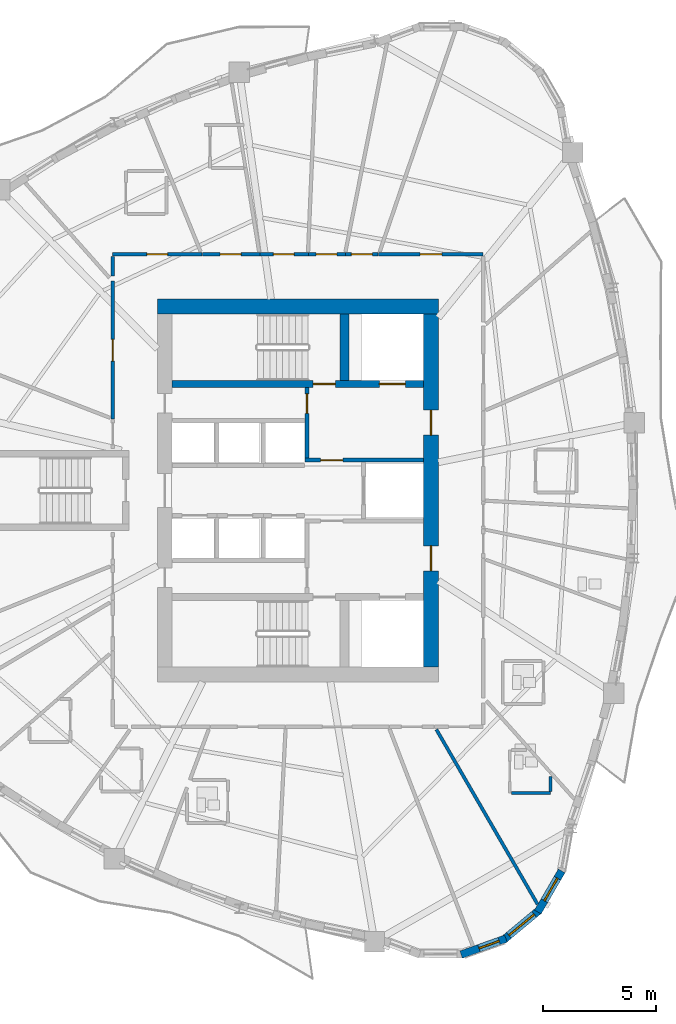
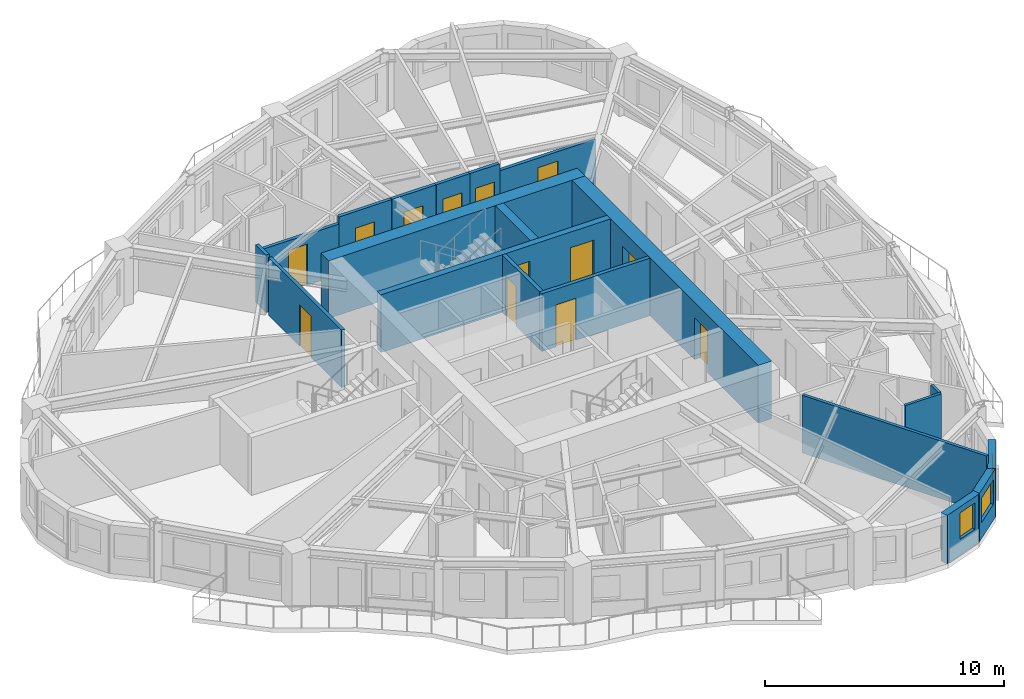
# One storey, part 6 of 13: 20 walls, 13 doors, 3 windows, 16 openings.
"""IFC4 building model written with IfcOpenShell, lengths in metres."""

from ifc_helpers import new_model, si_unit, direction, frame, frame_2d, origin, place, context, subcontext, project, spatial, rectangle, extrude, source, transform, mapped, material, layer, layer_set, type_object, element, fill, save


model = new_model("IFC4")

# Units and contexts
model_context = context("Model", 3, precision=1e-05, world=origin(), true_north=direction((0.0, 1.0)))
body_context = subcontext(model_context, "Body", "Model", "MODEL_VIEW")
ifc_project = project(units=[si_unit("LENGTHUNIT", "METRE"), si_unit("AREAUNIT", "SQUARE_METRE"), si_unit("VOLUMEUNIT", "CUBIC_METRE"), si_unit("PLANEANGLEUNIT", "RADIAN"), si_unit("MASSUNIT", "GRAM", prefix="KILO")], contexts=[model_context])

# Site, building, storey
site_placement = place(None, origin())
site = spatial("IfcSite", under=ifc_project, at=site_placement, CompositionType="ELEMENT")
building_placement = place(site_placement, origin())
building = spatial("IfcBuilding", under=site, at=building_placement, Name="Qafzar Sky-Pleat Residences", CompositionType="ELEMENT")
storey_placement = place(building_placement, frame((0.0, 0.0, 102.39990234375)))
storey = spatial("IfcBuildingStorey", under=building, at=storey_placement, Name="L30", CompositionType="ELEMENT", Elevation=102.39990234375)

# Wall, opening, door
ifc_material_1 = material(Name="Acoustic gypsum plasterboard partition", Category="gypsum")
ifc_layer_1 = layer(ifc_material_1, 0.159912109375)
ifc_layer_set_1 = layer_set([ifc_layer_1], Name="Acoustic gypsum plasterboard partition")
wall_type_1 = type_object("IfcWallType", Name="PART-COR-160", PredefinedType="PARTITIONING", material=ifc_layer_set_1)
wall_1_placement = place(storey_placement, frame((22.169921875, 29.14794921875, 0.0), z_axis=(0.0, 0.0, 1.0), x_axis=(0.0, 1.0, 0.0)))
wall_1 = element("IfcWall", 1, at=wall_1_placement, inside=storey, type_object=wall_type_1, Name="L30 Partition Wall PART-L30-PW-002", PredefinedType="PARTITIONING", context=body_context, shape_type="SweptSolid", body=[
    extrude(rectangle(XDim=6.10595703125, YDim=0.159912109375, at=frame_2d((3.052978515625, 0.0))), origin(), (0.0, 0.0, 1.0), 2.9501953125),
])
opening_1_placement = place(wall_1_placement, frame((2.569580078125, 0.0, 0.0)))
opening_1 = element("IfcOpeningElement", 2, at=opening_1_placement, cuts=wall_1, Name="Opening ID-06", PredefinedType="OPENING", context=body_context, shape_type="SweptSolid", body=[
    extrude(rectangle(XDim=0.9599609375, YDim=2.10009765625, at=frame_2d((0.47998046875, 1.050048828125))), frame((0.0, 0.08984375, 0.0), z_axis=(0.0, -1.0, 0.0), x_axis=(1.0, 0.0, 0.0)), (0.0, 0.0, 1.0), 0.179931640625),
])
ifc_material_2 = material(Name="Timber-faced fire door", Category="wood")
door_type_1 = type_object("IfcDoorType", Name="DR-STD-960", OperationType="NOTDEFINED", PredefinedType="DOOR", material=ifc_material_2)
shared_shape_1 = source(origin(), body_context, "Body", "SweptSolid", [
    extrude(rectangle(XDim=0.9599609375, YDim=2.10009765625, at=frame_2d((0.47998046875, 1.050048828125))), frame((0.0, 0.02490234375, 0.0), z_axis=(0.0, -1.0, 0.0), x_axis=(1.0, 0.0, 0.0)), (0.0, 0.0, 1.0), 0.050048828125),
])
door_1_placement = place(opening_1_placement, origin())
door_1 = element("IfcDoor", 3, at=door_1_placement, inside=storey, type_object=door_type_1, Name="L30 Media Screening Room Door", OperationType="SINGLE_SWING_RIGHT", OverallHeight=2.10009765625, OverallWidth=0.9599609375, PredefinedType="DOOR", context=body_context, shape_type="MappedRepresentation", body=[
    mapped(shared_shape_1, transform((0.0, 0.0, 0.0), x_axis=(1.0, 0.0, 0.0), y_axis=(0.0, 1.0, 0.0), z_axis=(0.0, 0.0, 1.0), scale=1.0)),
])
fill(opening_1, door_1)

wall_2_placement = place(storey_placement, frame((33.906005859375, 36.429931640625, 0.0), z_axis=(0.0, 0.0, 1.0), x_axis=(1.0, 0.0, 0.0)))
wall_2 = element("IfcWall", 4, at=wall_2_placement, inside=storey, type_object=wall_type_1, Name="L30 Partition Wall PART-L30-PW-003", PredefinedType="PARTITIONING", context=body_context, shape_type="SweptSolid", body=[
    extrude(rectangle(XDim=4.6240234375, YDim=0.159912109375, at=frame_2d((2.31201171875, 0.0))), origin(), (0.0, 0.0, 1.0), 2.588134765625),
])
opening_2_placement = place(wall_2_placement, frame((1.840087890625, 0.0, 0.0)))
opening_2 = element("IfcOpeningElement", 5, at=opening_2_placement, cuts=wall_2, Name="Opening ID-06", PredefinedType="OPENING", context=body_context, shape_type="SweptSolid", body=[
    extrude(rectangle(XDim=0.9599609375, YDim=2.10009765625, at=frame_2d((0.47998046875, 1.050048828125))), frame((0.0, 0.08984375, 0.0), z_axis=(0.0, -1.0, 0.0), x_axis=(1.0, 0.0, 0.0)), (0.0, 0.0, 1.0), 0.179931640625),
])
door_2_placement = place(opening_2_placement, origin())
door_2 = element("IfcDoor", 6, at=door_2_placement, inside=storey, type_object=door_type_1, Name="L30 Wellness Yoga Studio Door", OperationType="SINGLE_SWING_LEFT", OverallHeight=2.10009765625, OverallWidth=0.9599609375, PredefinedType="DOOR", context=body_context, shape_type="MappedRepresentation", body=[
    mapped(shared_shape_1, transform((0.0, 0.0, 0.0), x_axis=(1.0, 0.0, 0.0), y_axis=(0.0, 1.0, 0.0), z_axis=(0.0, 0.0, 1.0), scale=1.0)),
])
fill(opening_2, door_2)

wall_3_placement = place(storey_placement, frame((22.169921875, 36.429931640625, 0.0), z_axis=(0.0, 0.0, 1.0), x_axis=(1.0, 0.0, 0.0)))
wall_3 = element("IfcWall", 7, at=wall_3_placement, inside=storey, type_object=wall_type_1, Name="L30 Partition Wall PART-L30-PW-006", PredefinedType="PARTITIONING", context=body_context, shape_type="SweptSolid", body=[
    extrude(rectangle(XDim=3.947998046875, YDim=0.159912109375, at=frame_2d((1.97412109375, 0.0))), origin(), (0.0, 0.0, 1.0), 2.588134765625),
])
opening_3_placement = place(wall_3_placement, frame((1.506103515625, 0.0, 0.0)))
opening_3 = element("IfcOpeningElement", 8, at=opening_3_placement, cuts=wall_3, Name="Opening ID-04", PredefinedType="OPENING", context=body_context, shape_type="SweptSolid", body=[
    extrude(rectangle(XDim=0.919921875, YDim=2.10009765625, at=frame_2d((0.4599609375, 1.050048828125))), frame((0.0, 0.08984375, 0.0), z_axis=(0.0, -1.0, 0.0), x_axis=(1.0, 0.0, 0.0)), (0.0, 0.0, 1.0), 0.179931640625),
])
door_type_2 = type_object("IfcDoorType", Name="DR-BED-920", OperationType="NOTDEFINED", PredefinedType="DOOR", material=ifc_material_2)
shared_shape_2 = source(origin(), body_context, "Body", "SweptSolid", [
    extrude(rectangle(XDim=0.919921875, YDim=2.10009765625, at=frame_2d((0.4599609375, 1.050048828125))), frame((0.0, 0.02490234375, 0.0), z_axis=(0.0, -1.0, 0.0), x_axis=(1.0, 0.0, 0.0)), (0.0, 0.0, 1.0), 0.050048828125),
])
door_3_placement = place(opening_3_placement, origin())
door_3 = element("IfcDoor", 9, at=door_3_placement, inside=storey, type_object=door_type_2, Name="L30 Co-Living Bedroom 10 Door", OperationType="SINGLE_SWING_LEFT", OverallHeight=2.10009765625, OverallWidth=0.919921875, PredefinedType="DOOR", context=body_context, shape_type="MappedRepresentation", body=[
    mapped(shared_shape_2, transform((0.0, 0.0, 0.0), x_axis=(1.0, 0.0, 0.0), y_axis=(0.0, 1.0, 0.0), z_axis=(0.0, 0.0, 1.0), scale=1.0)),
])
fill(opening_3, door_3)

wall_4_placement = place(storey_placement, frame((26.133056640625, 36.429931640625, 0.0), z_axis=(0.0, 0.0, 1.0), x_axis=(1.0, 0.0, 0.0)))
wall_4 = element("IfcWall", 10, at=wall_4_placement, inside=storey, type_object=wall_type_1, Name="L30 Partition Wall PART-L30-PW-011", PredefinedType="PARTITIONING", context=body_context, shape_type="SweptSolid", body=[
    extrude(rectangle(XDim=2.537841796875, YDim=0.159912109375, at=frame_2d((1.26904296875, 0.0))), origin(), (0.0, 0.0, 1.0), 2.9501953125),
])
opening_4_placement = place(wall_4_placement, frame((0.785888671875, 0.0, 0.0)))
opening_4 = element("IfcOpeningElement", 11, at=opening_4_placement, cuts=wall_4, Name="Opening ID-04", PredefinedType="OPENING", context=body_context, shape_type="SweptSolid", body=[
    extrude(rectangle(XDim=0.919921875, YDim=2.10009765625, at=frame_2d((0.4599609375, 1.050048828125))), frame((0.0, 0.08984375, 0.0), z_axis=(0.0, -1.0, 0.0), x_axis=(1.0, 0.0, 0.0)), (0.0, 0.0, 1.0), 0.179931640625),
])
door_4_placement = place(opening_4_placement, origin())
door_4 = element("IfcDoor", 12, at=door_4_placement, inside=storey, type_object=door_type_2, Name="L30 Co-Living Bedroom 8 Door", OperationType="SINGLE_SWING_LEFT", OverallHeight=2.10009765625, OverallWidth=0.919921875, PredefinedType="DOOR", context=body_context, shape_type="MappedRepresentation", body=[
    mapped(shared_shape_2, transform((0.0, 0.0, 0.0), x_axis=(1.0, 0.0, 0.0), y_axis=(0.0, 1.0, 0.0), z_axis=(0.0, 0.0, 1.0), scale=1.0)),
])
fill(opening_4, door_4)

wall_5_placement = place(storey_placement, frame((28.68603515625, 36.429931640625, 0.0), z_axis=(0.0, 0.0, 1.0), x_axis=(1.0, 0.0, 0.0)))
wall_5 = element("IfcWall", 13, at=wall_5_placement, inside=storey, type_object=wall_type_1, Name="L30 Partition Wall PART-L30-PW-014", PredefinedType="PARTITIONING", context=body_context, shape_type="SweptSolid", body=[
    extrude(rectangle(XDim=2.123046875, YDim=0.159912109375, at=frame_2d((1.0615234375, 0.0))), origin(), (0.0, 0.0, 1.0), 2.9501953125),
])
opening_5_placement = place(wall_5_placement, frame((0.5791015625, 0.0, 0.0)))
opening_5 = element("IfcOpeningElement", 14, at=opening_5_placement, cuts=wall_5, Name="Opening ID-04", PredefinedType="OPENING", context=body_context, shape_type="SweptSolid", body=[
    extrude(rectangle(XDim=0.919921875, YDim=2.10009765625, at=frame_2d((0.4599609375, 1.050048828125))), frame((0.0, 0.08984375, 0.0), z_axis=(0.0, -1.0, 0.0), x_axis=(1.0, 0.0, 0.0)), (0.0, 0.0, 1.0), 0.179931640625),
])
door_5_placement = place(opening_5_placement, origin())
door_5 = element("IfcDoor", 15, at=door_5_placement, inside=storey, type_object=door_type_2, Name="L30 Co-Living Bedroom 9 Door", OperationType="SINGLE_SWING_RIGHT", OverallHeight=2.10009765625, OverallWidth=0.919921875, PredefinedType="DOOR", context=body_context, shape_type="MappedRepresentation", body=[
    mapped(shared_shape_2, transform((0.0, 0.0, 0.0), x_axis=(1.0, 0.0, 0.0), y_axis=(0.0, 1.0, 0.0), z_axis=(0.0, 0.0, 1.0), scale=1.0)),
])
fill(opening_5, door_5)

wall_6_placement = place(storey_placement, frame((30.823974609375, 36.429931640625, 0.0), z_axis=(0.0, 0.0, 1.0), x_axis=(1.0, 0.0, 0.0)))
wall_6 = element("IfcWall", 16, at=wall_6_placement, inside=storey, type_object=wall_type_1, Name="L30 Partition Wall PART-L30-PW-024", PredefinedType="PARTITIONING", context=body_context, shape_type="SweptSolid", body=[
    extrude(rectangle(XDim=1.619140625, YDim=0.159912109375, at=frame_2d((0.8095703125, 0.0))), origin(), (0.0, 0.0, 1.0), 2.9501953125),
])
opening_6_placement = place(wall_6_placement, frame((0.326904296875, 0.0, 0.0)))
opening_6 = element("IfcOpeningElement", 17, at=opening_6_placement, cuts=wall_6, Name="Opening ID-04", PredefinedType="OPENING", context=body_context, shape_type="SweptSolid", body=[
    extrude(rectangle(XDim=0.919921875, YDim=2.10009765625, at=frame_2d((0.4599609375, 1.050048828125))), frame((0.0, 0.08984375, 0.0), z_axis=(0.0, -1.0, 0.0), x_axis=(1.0, 0.0, 0.0)), (0.0, 0.0, 1.0), 0.179931640625),
])
door_6_placement = place(opening_6_placement, origin())
door_6 = element("IfcDoor", 18, at=door_6_placement, inside=storey, type_object=door_type_2, Name="L30 Co-Living Bedroom 6 Door", OperationType="SINGLE_SWING_RIGHT", OverallHeight=2.10009765625, OverallWidth=0.919921875, PredefinedType="DOOR", context=body_context, shape_type="MappedRepresentation", body=[
    mapped(shared_shape_2, transform((0.0, 0.0, 0.0), x_axis=(1.0, 0.0, 0.0), y_axis=(0.0, 1.0, 0.0), z_axis=(0.0, 0.0, 1.0), scale=1.0)),
])
fill(opening_6, door_6)

wall_7_placement = place(storey_placement, frame((32.4580078125, 36.429931640625, 0.0), z_axis=(0.0, 0.0, 1.0), x_axis=(1.0, 0.0, 0.0)))
wall_7 = element("IfcWall", 19, at=wall_7_placement, inside=storey, type_object=wall_type_1, Name="L30 Partition Wall PART-L30-PW-027", PredefinedType="PARTITIONING", context=body_context, shape_type="SweptSolid", body=[
    extrude(rectangle(XDim=1.43310546875, YDim=0.159912109375, at=frame_2d((0.716552734375, 0.0))), origin(), (0.0, 0.0, 1.0), 2.9501953125),
])
opening_7_placement = place(wall_7_placement, frame((0.257080078125, 0.0, 0.0)))
opening_7 = element("IfcOpeningElement", 20, at=opening_7_placement, cuts=wall_7, Name="Opening ID-04", PredefinedType="OPENING", context=body_context, shape_type="SweptSolid", body=[
    extrude(rectangle(XDim=0.919921875, YDim=2.10009765625, at=frame_2d((0.4599609375, 1.050048828125))), frame((0.0, 0.08984375, 0.0), z_axis=(0.0, -1.0, 0.0), x_axis=(1.0, 0.0, 0.0)), (0.0, 0.0, 1.0), 0.179931640625),
])
door_7_placement = place(opening_7_placement, origin())
door_7 = element("IfcDoor", 21, at=door_7_placement, inside=storey, type_object=door_type_2, Name="L30 Co-Living Bedroom 7 Door", OperationType="SINGLE_SWING_LEFT", OverallHeight=2.10009765625, OverallWidth=0.919921875, PredefinedType="DOOR", context=body_context, shape_type="MappedRepresentation", body=[
    mapped(shared_shape_2, transform((0.0, 0.0, 0.0), x_axis=(1.0, 0.0, 0.0), y_axis=(0.0, 1.0, 0.0), z_axis=(0.0, 0.0, 1.0), scale=1.0)),
])
fill(opening_7, door_7)

# Wall
wall_8_placement = place(storey_placement, frame((22.169921875, 35.4765625, 0.0), z_axis=(0.0, 0.0, 1.0), x_axis=(0.0, 1.0, 0.0)))
element("IfcWall", 22, at=wall_8_placement, inside=storey, type_object=wall_type_1, Name="L30 Partition Wall PART-L30-PW-080", PredefinedType="PARTITIONING", context=body_context, shape_type="SweptSolid", body=[
    extrude(rectangle(XDim=0.865478515625, YDim=0.159912109375, at=frame_2d((0.4326171875, 0.0))), origin(), (0.0, 0.0, 1.0), 2.9501953125),
])

# Wall, opening, door
ifc_material_3 = material(Name="Concrete blockwork partition", Category="masonry")
ifc_layer_2 = layer(ifc_material_3, 0.179931640625)
ifc_layer_set_2 = layer_set([ifc_layer_2], Name="Concrete blockwork partition")
wall_type_2 = type_object("IfcWallType", Name="PART-SHAFT-180", PredefinedType="PARTITIONING", material=ifc_layer_set_2)
wall_9_placement = place(storey_placement, frame((30.75, 27.429931640625, 0.0), z_axis=(0.0, 0.0, 1.0), x_axis=(0.0, 1.0, 0.0)))
wall_9 = element("IfcWall", 23, at=wall_9_placement, inside=storey, type_object=wall_type_2, Name="L30 Partition Wall PART-L30-FFL2-W", PredefinedType="PARTITIONING", context=body_context, shape_type="SweptSolid", body=[
    extrude(rectangle(XDim=3.110107421875, YDim=0.179931640625, at=frame_2d((1.55517578125, 0.0))), origin(), (0.0, 0.0, 1.0), 2.9501953125),
])
opening_8_placement = place(wall_9_placement, frame((1.97998046875, 0.0, 0.0)))
opening_8 = element("IfcOpeningElement", 24, at=opening_8_placement, cuts=wall_9, Name="Opening ID-09", PredefinedType="OPENING", context=body_context, shape_type="SweptSolid", body=[
    extrude(rectangle(XDim=0.860107421875, YDim=2.050048828125, at=frame_2d((0.43017578125, 1.02490234375))), frame((0.0, 0.10009765625, 0.0), z_axis=(0.0, -1.0, 0.0), x_axis=(1.0, 0.0, 0.0)), (0.0, 0.0, 1.0), 0.199951171875),
])
door_type_3 = type_object("IfcDoorType", Name="DR-SVC-860", OperationType="NOTDEFINED", PredefinedType="DOOR", material=ifc_material_2)
shared_shape_3 = source(origin(), body_context, "Body", "SweptSolid", [
    extrude(rectangle(XDim=0.860107421875, YDim=2.050048828125, at=frame_2d((0.43017578125, 1.02490234375))), frame((0.0, 0.02490234375, 0.0), z_axis=(0.0, -1.0, 0.0), x_axis=(1.0, 0.0, 0.0)), (0.0, 0.0, 1.0), 0.050048828125),
])
door_8_placement = place(opening_8_placement, origin())
door_8 = element("IfcDoor", 25, at=door_8_placement, inside=storey, type_object=door_type_3, Name="L30 North Core Cupboard Door", OperationType="SINGLE_SWING_LEFT", OverallHeight=2.050048828125, OverallWidth=0.860107421875, PredefinedType="DOOR", context=body_context, shape_type="MappedRepresentation", body=[
    mapped(shared_shape_3, transform((0.0, 0.0, 0.0), x_axis=(1.0, 0.0, 0.0), y_axis=(0.0, 1.0, 0.0), z_axis=(0.0, 0.0, 1.0), scale=1.0)),
])
fill(opening_8, door_8)

wall_10_placement = place(storey_placement, frame((30.669921875, 27.340087890625, 0.0), z_axis=(0.0, 0.0, 1.0), x_axis=(1.0, 0.0, 0.0)))
wall_10 = element("IfcWall", 26, at=wall_10_placement, inside=storey, type_object=wall_type_2, Name="L30 Partition Wall PART-L30-FFL2-S", PredefinedType="PARTITIONING", context=body_context, shape_type="SweptSolid", body=[
    extrude(rectangle(XDim=5.219970703125, YDim=0.179931640625, at=frame_2d((2.60986328125, 0.0))), origin(), (0.0, 0.0, 1.0), 2.9501953125),
])
opening_9_placement = place(wall_10_placement, frame((0.679931640625, 0.0, 0.0)))
opening_9 = element("IfcOpeningElement", 27, at=opening_9_placement, cuts=wall_10, Name="Opening ID-01", PredefinedType="OPENING", context=body_context, shape_type="SweptSolid", body=[
    extrude(rectangle(XDim=0.97998046875, YDim=2.14990234375, at=frame_2d((0.489990234375, 1.074951171875))), frame((0.0, 0.10009765625, 0.0), z_axis=(0.0, -1.0, 0.0), x_axis=(1.0, 0.0, 0.0)), (0.0, 0.0, 1.0), 0.199951171875),
])
door_type_4 = type_object("IfcDoorType", Name="DR-STAIR-980", OperationType="NOTDEFINED", PredefinedType="DOOR", material=ifc_material_2)
shared_shape_4 = source(origin(), body_context, "Body", "SweptSolid", [
    extrude(rectangle(XDim=0.97998046875, YDim=2.14990234375, at=frame_2d((0.489990234375, 1.074951171875))), frame((0.0, 0.02490234375, 0.0), z_axis=(0.0, -1.0, 0.0), x_axis=(1.0, 0.0, 0.0)), (0.0, 0.0, 1.0), 0.050048828125),
])
door_9_placement = place(opening_9_placement, origin())
door_9 = element("IfcDoor", 28, at=door_9_placement, inside=storey, type_object=door_type_4, Name="L30 Lift Lobby to North Firefighting Lobby Door", OperationType="SINGLE_SWING_RIGHT", OverallHeight=2.14990234375, OverallWidth=0.97998046875, PredefinedType="DOOR", context=body_context, shape_type="MappedRepresentation", body=[
    mapped(shared_shape_4, transform((0.0, 0.0, 0.0), x_axis=(1.0, 0.0, 0.0), y_axis=(0.0, 1.0, 0.0), z_axis=(0.0, 0.0, 1.0), scale=1.0)),
])
fill(opening_9, door_9)

# Walls
ifc_layer_3 = layer(ifc_material_1, 0.14501953125)
ifc_layer_set_3 = layer_set([ifc_layer_3], Name="Acoustic gypsum plasterboard partition")
wall_type_3 = type_object("IfcWallType", Name="PART-UNIT-145", PredefinedType="PARTITIONING", material=ifc_layer_set_3)
wall_11_placement = place(storey_placement, frame((36.46337890625, 15.44677734375, 0.0), z_axis=(0.0, 0.0, 1.0), x_axis=(0.501201369888, -0.86533068062, 0.0)))
element("IfcWall", 29, at=wall_11_placement, inside=storey, type_object=wall_type_3, Name="L30 Partition Wall PART-L30-PW-037", PredefinedType="PARTITIONING", context=body_context, shape_type="SweptSolid", body=[
    extrude(rectangle(XDim=8.91796875, YDim=0.14501953125, at=frame_2d((4.458984375, 0.0))), origin(), (0.0, 0.0, 1.0), 2.9501953125),
])
ifc_material_4 = material(Name="Moisture-resistant gypsum partition", Category="gypsum")
ifc_layer_4 = layer(ifc_material_4, 0.1298828125)
ifc_layer_set_4 = layer_set([ifc_layer_4], Name="Moisture-resistant gypsum partition")
wall_type_4 = type_object("IfcWallType", Name="PART-WET-130", PredefinedType="PARTITIONING", material=ifc_layer_set_4)
wall_12_placement = place(storey_placement, frame((39.777099609375, 12.64599609375, 0.0), z_axis=(0.0, 0.0, 1.0), x_axis=(1.0, 0.0, 0.0)))
element("IfcWall", 30, at=wall_12_placement, inside=storey, type_object=wall_type_4, Name="L30 Partition Wall PART-L30-PW-068", PredefinedType="PARTITIONING", context=body_context, shape_type="SweptSolid", body=[
    extrude(rectangle(XDim=1.726806640625, YDim=0.1298828125, at=frame_2d((0.86328125, 0.0))), origin(), (0.0, 0.0, 1.0), 2.9501953125),
])
wall_13_placement = place(storey_placement, frame((41.50390625, 12.718994140625, 0.0), z_axis=(0.0, 0.0, 1.0), x_axis=(0.0, 1.0, 0.0)))
element("IfcWall", 31, at=wall_13_placement, inside=storey, type_object=wall_type_4, Name="L30 Partition Wall PART-L30-PW-084", PredefinedType="PARTITIONING", context=body_context, shape_type="SweptSolid", body=[
    extrude(rectangle(XDim=0.642822265625, YDim=0.1298828125, at=frame_2d((0.3212890625, 0.0))), origin(), (0.0, 0.0, 1.0), 2.9501953125),
])

# Wall, opening, window
ifc_material_5 = material(Name="Precast concrete C40/50 with honed Riyadh limestone", Category="concrete")
ifc_layer_5 = layer(ifc_material_5, 0.340087890625)
ifc_layer_set_5 = layer_set([ifc_layer_5], Name="Precast concrete C40/50 with honed Riyadh limestone")
wall_type_5 = type_object("IfcWallType", Name="WALL-EXT-340", PredefinedType="SOLIDWALL", material=ifc_layer_set_5)
wall_14_placement = place(storey_placement, frame((37.556884765625, 5.506103515625, 0.0), z_axis=(0.0, 0.0, 1.0), x_axis=(0.941523304278, 0.336947870598, 0.0)))
wall_14 = element("IfcWall", 32, at=wall_14_placement, inside=storey, type_object=wall_type_5, Name="L30 Limestone Facade Wall 19", PredefinedType="SOLIDWALL", context=body_context, shape_type="SweptSolid", body=[
    extrude(rectangle(XDim=2.09912109375, YDim=0.340087890625, at=frame_2d((1.049560546875, 0.0))), origin(), (0.0, 0.0, 1.0), 2.47998046875),
])
opening_10_placement = place(wall_14_placement, frame((0.835205078125, 0.0, 0.820068359375)))
opening_10 = element("IfcOpeningElement", 33, at=opening_10_placement, cuts=wall_14, Name="Opening WN-12", PredefinedType="OPENING", context=body_context, shape_type="SweptSolid", body=[
    extrude(rectangle(XDim=0.949951171875, YDim=1.35009765625, at=frame_2d((0.47509765625, 0.675048828125))), frame((0.0, 0.18017578125, 0.0), z_axis=(0.0, -1.0, 0.0), x_axis=(1.0, 0.0, 0.0)), (0.0, 0.0, 1.0), 0.360107421875),
])
ifc_material_6 = material(Name="Solar-control low-E glass in bronze aluminium frame", Category="glass")
window_type_1 = type_object("IfcWindowType", Name="WIN-12", PartitioningType="SINGLE_PANEL", PredefinedType="WINDOW", material=ifc_material_6)
shared_shape_5 = source(origin(), body_context, "Body", "SweptSolid", [
    extrude(rectangle(XDim=0.949951171875, YDim=1.35009765625, at=frame_2d((0.47509765625, 0.675048828125))), frame((0.0, 0.030029296875, 0.0), z_axis=(0.0, -1.0, 0.0), x_axis=(1.0, 0.0, 0.0)), (0.0, 0.0, 1.0), 0.06005859375),
])
window_1_placement = place(opening_10_placement, origin())
window_1 = element("IfcWindow", 34, at=window_1_placement, inside=storey, type_object=window_type_1, Name="L30 Punched Facade Window 19-2", OverallHeight=1.35009765625, OverallWidth=0.949951171875, PartitioningType="SINGLE_PANEL", PredefinedType="WINDOW", context=body_context, shape_type="MappedRepresentation", body=[
    mapped(shared_shape_5, transform((0.0, 0.0, 0.0), x_axis=(1.0, 0.0, 0.0), y_axis=(0.0, 1.0, 0.0), z_axis=(0.0, 0.0, 1.0), scale=1.0)),
])
fill(opening_10, window_1)

wall_15_placement = place(storey_placement, frame((39.41650390625, 6.14697265625, 0.0), z_axis=(0.0, 0.0, 1.0), x_axis=(0.768497696041, 0.639852554249, 0.0)))
wall_15 = element("IfcWall", 35, at=wall_15_placement, inside=storey, type_object=wall_type_5, Name="L30 Limestone Facade Wall 20", PredefinedType="SOLIDWALL", context=body_context, shape_type="SweptSolid", body=[
    extrude(rectangle(XDim=2.098876953125, YDim=0.340087890625, at=frame_2d((1.04931640625, 0.0))), origin(), (0.0, 0.0, 1.0), 2.47998046875),
])
opening_11_placement = place(wall_15_placement, frame((0.324462890625, 0.0, 0.820068359375)))
opening_11 = element("IfcOpeningElement", 36, at=opening_11_placement, cuts=wall_15, Name="Opening WN-15", PredefinedType="OPENING", context=body_context, shape_type="SweptSolid", body=[
    extrude(rectangle(XDim=1.449951171875, YDim=1.25, at=frame_2d((0.72509765625, 0.625))), frame((0.0, 0.18017578125, 0.0), z_axis=(0.0, -1.0, 0.0), x_axis=(1.0, 0.0, 0.0)), (0.0, 0.0, 1.0), 0.360107421875),
])
window_type_2 = type_object("IfcWindowType", Name="WIN-15", PartitioningType="SINGLE_PANEL", PredefinedType="WINDOW", material=ifc_material_6)
shared_shape_6 = source(origin(), body_context, "Body", "SweptSolid", [
    extrude(rectangle(XDim=1.449951171875, YDim=1.25, at=frame_2d((0.72509765625, 0.625))), frame((0.0, 0.030029296875, 0.0), z_axis=(0.0, -1.0, 0.0), x_axis=(1.0, 0.0, 0.0)), (0.0, 0.0, 1.0), 0.06005859375),
])
window_2_placement = place(opening_11_placement, origin())
window_2 = element("IfcWindow", 37, at=window_2_placement, inside=storey, type_object=window_type_2, Name="L30 Punched Facade Window 20", OverallHeight=1.25, OverallWidth=1.449951171875, PartitioningType="SINGLE_PANEL", PredefinedType="WINDOW", context=body_context, shape_type="MappedRepresentation", body=[
    mapped(shared_shape_6, transform((0.0, 0.0, 0.0), x_axis=(1.0, 0.0, 0.0), y_axis=(0.0, 1.0, 0.0), z_axis=(0.0, 0.0, 1.0), scale=1.0)),
])
fill(opening_11, window_2)

wall_16_placement = place(storey_placement, frame((40.943115234375, 7.387451171875, 0.0), z_axis=(0.0, 0.0, 1.0), x_axis=(0.501902596059, 0.864924149315, 0.0)))
wall_16 = element("IfcWall", 38, at=wall_16_placement, inside=storey, type_object=wall_type_5, Name="L30 Limestone Facade Wall 21", PredefinedType="SOLIDWALL", context=body_context, shape_type="SweptSolid", body=[
    extrude(rectangle(XDim=2.098876953125, YDim=0.340087890625, at=frame_2d((1.04931640625, 0.0))), origin(), (0.0, 0.0, 1.0), 2.47998046875),
])
opening_12_placement = place(wall_16_placement, frame((0.573974609375, 0.0, 0.820068359375)))
opening_12 = element("IfcOpeningElement", 39, at=opening_12_placement, cuts=wall_16, Name="Opening WN-16", PredefinedType="OPENING", context=body_context, shape_type="SweptSolid", body=[
    extrude(rectangle(XDim=1.14990234375, YDim=1.199951171875, at=frame_2d((0.574951171875, 0.60009765625))), frame((0.0, 0.18017578125, 0.0), z_axis=(0.0, -1.0, 0.0), x_axis=(1.0, 0.0, 0.0)), (0.0, 0.0, 1.0), 0.360107421875),
])
window_type_3 = type_object("IfcWindowType", Name="WIN-16", PartitioningType="SINGLE_PANEL", PredefinedType="WINDOW", material=ifc_material_6)
shared_shape_7 = source(origin(), body_context, "Body", "SweptSolid", [
    extrude(rectangle(XDim=1.14990234375, YDim=1.199951171875, at=frame_2d((0.574951171875, 0.60009765625))), frame((0.0, 0.030029296875, 0.0), z_axis=(0.0, -1.0, 0.0), x_axis=(1.0, 0.0, 0.0)), (0.0, 0.0, 1.0), 0.06005859375),
])
window_3_placement = place(opening_12_placement, origin())
window_3 = element("IfcWindow", 40, at=window_3_placement, inside=storey, type_object=window_type_3, Name="L30 Punched Facade Window 21", OverallHeight=1.199951171875, OverallWidth=1.14990234375, PartitioningType="SINGLE_PANEL", PredefinedType="WINDOW", context=body_context, shape_type="MappedRepresentation", body=[
    mapped(shared_shape_7, transform((0.0, 0.0, 0.0), x_axis=(1.0, 0.0, 0.0), y_axis=(0.0, 1.0, 0.0), z_axis=(0.0, 0.0, 1.0), scale=1.0)),
])
fill(opening_12, window_3)

# Wall, openings, doors
ifc_material_7 = material(Name="Concrete C60/75", Category="concrete")
ifc_layer_6 = layer(ifc_material_7, 0.300048828125)
ifc_layer_set_6 = layer_set([ifc_layer_6], Name="Concrete C60/75")
wall_type_6 = type_object("IfcWallType", Name="WALL-SHEAR-300", PredefinedType="SHEAR", material=ifc_layer_set_6)
wall_17_placement = place(storey_placement, frame((24.800048828125, 30.699951171875, 0.0), z_axis=(0.0, 0.0, 1.0), x_axis=(1.0, 0.0, 0.0)))
wall_17 = element("IfcWall", 41, at=wall_17_placement, inside=storey, type_object=wall_type_6, Name="L30 Stair ST2 and FF2 Shaft South Wall", PredefinedType="SHEAR", context=body_context, shape_type="SweptSolid", body=[
    extrude(rectangle(XDim=11.099853515625, YDim=0.300048828125, at=frame_2d((5.5498046875, 0.0))), origin(), (0.0, 0.0, 1.0), 2.9501953125),
])
opening_13_placement = place(wall_17_placement, frame((6.219970703125, 0.0, 0.0)))
opening_13 = element("IfcOpeningElement", 42, at=opening_13_placement, cuts=wall_17, Name="Opening ID-01", PredefinedType="OPENING", context=body_context, shape_type="SweptSolid", body=[
    extrude(rectangle(XDim=0.97998046875, YDim=2.14990234375, at=frame_2d((0.489990234375, 1.074951171875))), frame((0.0, 0.16015625, 0.0), z_axis=(0.0, -1.0, 0.0), x_axis=(1.0, 0.0, 0.0)), (0.0, 0.0, 1.0), 0.320068359375),
])
opening_14_placement = place(wall_17_placement, frame((9.14990234375, 0.0, 0.0)))
opening_14 = element("IfcOpeningElement", 43, at=opening_14_placement, cuts=wall_17, Name="Opening LD-02", PredefinedType="OPENING", context=body_context, shape_type="SweptSolid", body=[
    extrude(rectangle(XDim=1.14990234375, YDim=2.14990234375, at=frame_2d((0.574951171875, 1.074951171875))), frame((0.0, 0.16015625, 0.0), z_axis=(0.0, -1.0, 0.0), x_axis=(1.0, 0.0, 0.0)), (0.0, 0.0, 1.0), 0.320068359375),
])
door_10_placement = place(opening_13_placement, origin())
door_10 = element("IfcDoor", 44, at=door_10_placement, inside=storey, type_object=door_type_4, Name="L30 Stair ST2 Fire Door", OperationType="SINGLE_SWING_LEFT", OverallHeight=2.14990234375, OverallWidth=0.97998046875, PredefinedType="DOOR", context=body_context, shape_type="MappedRepresentation", body=[
    mapped(shared_shape_4, transform((0.0, 0.0, 0.0), x_axis=(1.0, 0.0, 0.0), y_axis=(0.0, 1.0, 0.0), z_axis=(0.0, 0.0, 1.0), scale=1.0)),
])
fill(opening_13, door_10)
ifc_material_8 = material(Name="Stainless steel sliding landing door", Category="steel")
door_type_5 = type_object("IfcDoorType", Name="DR-LIFT-FF", OperationType="DOUBLE_DOOR_SLIDING", PredefinedType="DOOR", material=ifc_material_8)
shared_shape_8 = source(origin(), body_context, "Body", "SweptSolid", [
    extrude(rectangle(XDim=1.14990234375, YDim=2.14990234375, at=frame_2d((0.574951171875, 1.074951171875))), frame((0.0, 0.02490234375, 0.0), z_axis=(0.0, -1.0, 0.0), x_axis=(1.0, 0.0, 0.0)), (0.0, 0.0, 1.0), 0.050048828125),
])
door_11_placement = place(opening_14_placement, origin())
door_11 = element("IfcDoor", 45, at=door_11_placement, inside=storey, type_object=door_type_5, Name="L30 Firefighting Lift FF2 Landing Door", OperationType="DOUBLE_DOOR_SLIDING", OverallHeight=2.14990234375, OverallWidth=1.14990234375, PredefinedType="DOOR", context=body_context, shape_type="MappedRepresentation", body=[
    mapped(shared_shape_8, transform((0.0, 0.0, 0.0), x_axis=(1.0, 0.0, 0.0), y_axis=(0.0, 1.0, 0.0), z_axis=(0.0, 0.0, 1.0), scale=1.0)),
])
fill(opening_14, door_11)

# Walls
ifc_layer_7 = layer(ifc_material_7, 0.39990234375)
ifc_layer_set_7 = layer_set([ifc_layer_7], Name="Concrete C60/75")
wall_type_7 = type_object("IfcWallType", Name="WALL-SHEAR-400", PredefinedType="SHEAR", material=ifc_layer_set_7)
wall_18_placement = place(storey_placement, frame((32.39990234375, 30.85009765625, 0.0), z_axis=(0.0, 0.0, 1.0), x_axis=(0.0, 1.0, 0.0)))
element("IfcWall", 46, at=wall_18_placement, inside=storey, type_object=wall_type_7, Name="L30 Stair ST2 East Dividing Wall", PredefinedType="SHEAR", context=body_context, shape_type="SweptSolid", body=[
    extrude(rectangle(XDim=2.949951171875, YDim=0.39990234375, at=frame_2d((1.47509765625, 0.0))), origin(), (0.0, 0.0, 1.0), 2.9501953125),
])
ifc_layer_8 = layer(ifc_material_7, 0.64990234375)
ifc_layer_set_8 = layer_set([ifc_layer_8], Name="Concrete C60/75")
wall_type_8 = type_object("IfcWallType", Name="WALL-SHEAR-650", PredefinedType="SHEAR", material=ifc_layer_set_8)
wall_19_placement = place(storey_placement, frame((36.550048828125, 34.125, 0.0), z_axis=(0.0, 0.0, 1.0), x_axis=(-1.0, 0.0, 0.0)))
element("IfcWall", 47, at=wall_19_placement, inside=storey, type_object=wall_type_8, Name="L30 CORE wall N", PredefinedType="SHEAR", context=body_context, shape_type="SweptSolid", body=[
    extrude(rectangle(XDim=12.400146484375, YDim=0.64990234375, at=frame_2d((6.2001953125, 0.0))), origin(), (0.0, 0.0, 1.0), 2.9501953125),
])

# Wall, openings, doors
wall_20_placement = place(storey_placement, frame((36.22509765625, 18.199951171875, 0.0), z_axis=(0.0, 0.0, 1.0), x_axis=(0.0, 1.0, 0.0)))
wall_20 = element("IfcWall", 48, at=wall_20_placement, inside=storey, type_object=wall_type_8, Name="L30 CORE wall E", PredefinedType="SHEAR", context=body_context, shape_type="SweptSolid", body=[
    extrude(rectangle(XDim=15.60009765625, YDim=0.64990234375, at=frame_2d((7.800048828125, 0.0))), origin(), (0.0, 0.0, 1.0), 2.9501953125),
])
opening_15_placement = place(wall_20_placement, frame((4.25, 0.0, 0.0)))
opening_15 = element("IfcOpeningElement", 49, at=opening_15_placement, cuts=wall_20, Name="Opening ID-02", PredefinedType="OPENING", context=body_context, shape_type="SweptSolid", body=[
    extrude(rectangle(XDim=1.10009765625, YDim=2.14990234375, at=frame_2d((0.550048828125, 1.074951171875))), frame((0.0, 0.3349609375, 0.0), z_axis=(0.0, -1.0, 0.0), x_axis=(1.0, 0.0, 0.0)), (0.0, 0.0, 1.0), 0.669921875),
])
opening_16_placement = place(wall_20_placement, frame((10.25, 0.0, 0.0)))
opening_16 = element("IfcOpeningElement", 50, at=opening_16_placement, cuts=wall_20, Name="Opening ID-02", PredefinedType="OPENING", context=body_context, shape_type="SweptSolid", body=[
    extrude(rectangle(XDim=1.10009765625, YDim=2.14990234375, at=frame_2d((0.550048828125, 1.074951171875))), frame((0.0, 0.3349609375, 0.0), z_axis=(0.0, -1.0, 0.0), x_axis=(1.0, 0.0, 0.0)), (0.0, 0.0, 1.0), 0.669921875),
])
door_type_6 = type_object("IfcDoorType", Name="DR-FFL-1100", OperationType="NOTDEFINED", PredefinedType="DOOR", material=ifc_material_2)
shared_shape_9 = source(origin(), body_context, "Body", "SweptSolid", [
    extrude(rectangle(XDim=1.10009765625, YDim=2.14990234375, at=frame_2d((0.550048828125, 1.074951171875))), frame((0.0, 0.02490234375, 0.0), z_axis=(0.0, -1.0, 0.0), x_axis=(1.0, 0.0, 0.0)), (0.0, 0.0, 1.0), 0.050048828125),
])
door_12_placement = place(opening_15_placement, origin())
door_12 = element("IfcDoor", 51, at=door_12_placement, inside=storey, type_object=door_type_6, Name="L30 Firefighting Lobby South Corridor Door", OperationType="SINGLE_SWING_LEFT", OverallHeight=2.14990234375, OverallWidth=1.10009765625, PredefinedType="DOOR", context=body_context, shape_type="MappedRepresentation", body=[
    mapped(shared_shape_9, transform((0.0, 0.0, 0.0), x_axis=(1.0, 0.0, 0.0), y_axis=(0.0, 1.0, 0.0), z_axis=(0.0, 0.0, 1.0), scale=1.0)),
])
fill(opening_15, door_12)
door_13_placement = place(opening_16_placement, origin())
door_13 = element("IfcDoor", 52, at=door_13_placement, inside=storey, type_object=door_type_6, Name="L30 Firefighting Lobby North Corridor Door", OperationType="SINGLE_SWING_RIGHT", OverallHeight=2.14990234375, OverallWidth=1.10009765625, PredefinedType="DOOR", context=body_context, shape_type="MappedRepresentation", body=[
    mapped(shared_shape_9, transform((0.0, 0.0, 0.0), x_axis=(1.0, 0.0, 0.0), y_axis=(0.0, 1.0, 0.0), z_axis=(0.0, 0.0, 1.0), scale=1.0)),
])
fill(opening_16, door_13)

save(model, "model.ifc")
